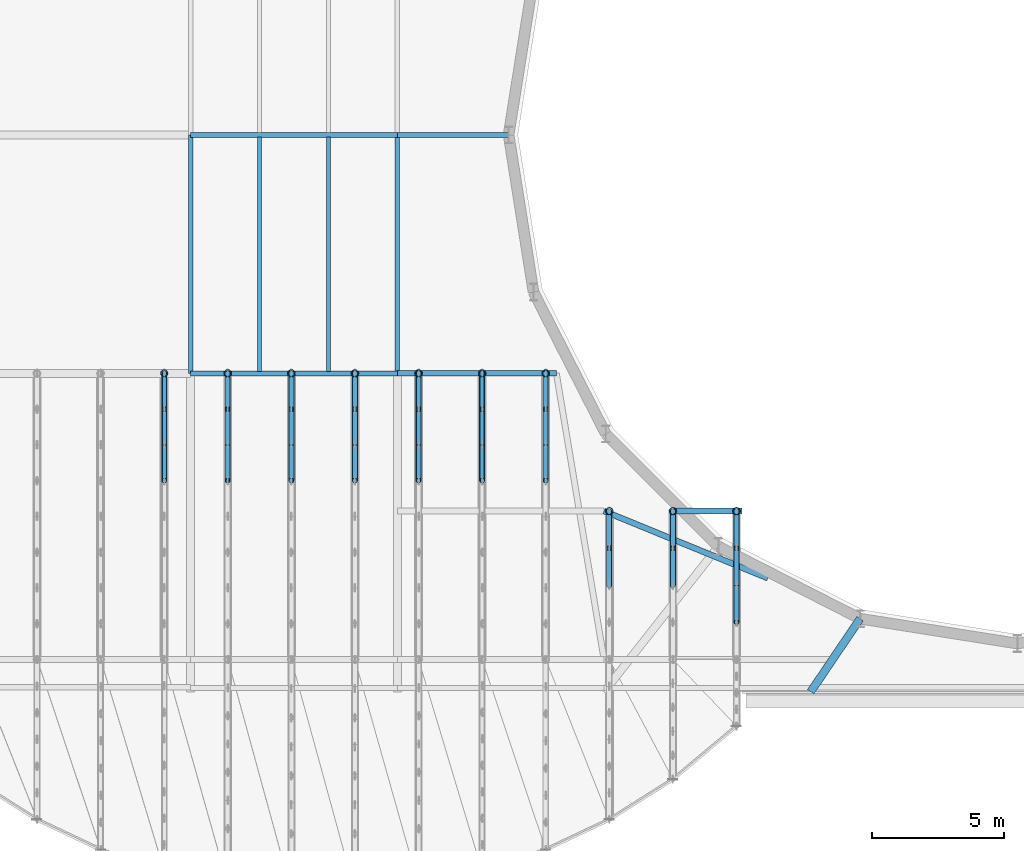
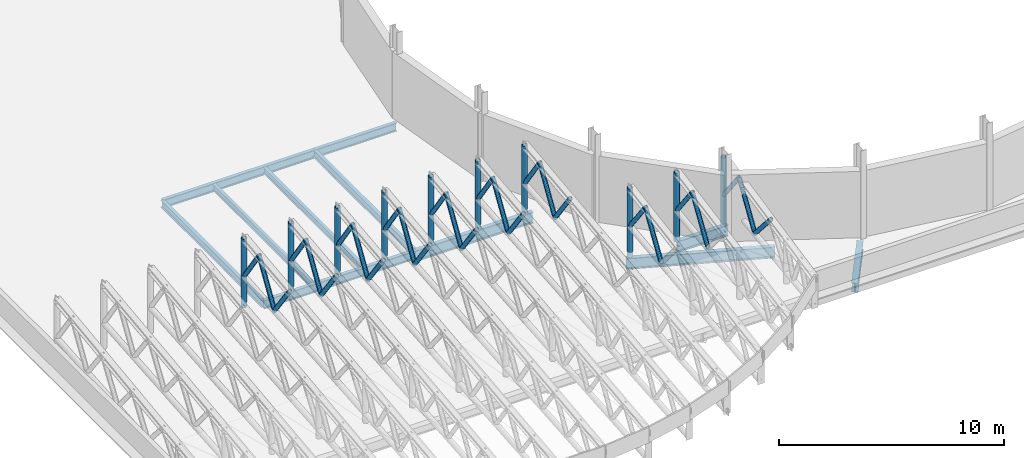
# One storey, part 15 of 58: 38 members, 11 beams.
"""IFC4 building model written with IfcOpenShell, lengths in metres."""

from ifc_helpers import new_model, si_unit, direction, frame, origin, origin_2d, place, context, subcontext, project, spatial, hollow_circle, i_section, extrude, material, material_profile, profile_set, type_object, element, save


model = new_model("IFC4")

# Units and contexts
model_context = context("Model", 3, precision=1e-05, world=origin(), true_north=direction((0.0, 1.0)))
body_context = subcontext(model_context, "Body", "Model", "MODEL_VIEW")
ifc_project = project(units=[si_unit("LENGTHUNIT", "METRE"), si_unit("AREAUNIT", "SQUARE_METRE"), si_unit("VOLUMEUNIT", "CUBIC_METRE"), si_unit("PLANEANGLEUNIT", "RADIAN"), si_unit("MASSUNIT", "GRAM", prefix="KILO")], contexts=[model_context])

# Site, building, storey
site_placement = place(None, origin())
site = spatial("IfcSite", under=ifc_project, at=site_placement, CompositionType="ELEMENT")
building_placement = place(site_placement, origin())
building = spatial("IfcBuilding", under=site, at=building_placement, Name="Sefraquen Railside Congress Hotel", CompositionType="ELEMENT")
storey_placement = place(building_placement, frame((0.0, 0.0, 16.199951171875)))
storey = spatial("IfcBuildingStorey", under=building, at=storey_placement, Name="L03", CompositionType="ELEMENT", Elevation=16.199951171875)

# Beams
ifc_material_1 = material(Name="Steel S355JR", Category="steel")
ifc_material_profile_1 = material_profile(ifc_material_1, i_section(OverallWidth=0.179931640625, OverallDepth=0.39990234375, WebThickness=0.008544921875, FlangeThickness=0.013427734375, FilletRadius=0.02099609375, at=origin_2d()), Name="IPE 400")
ifc_profile_set_1 = profile_set([ifc_material_profile_1], Name="Steel S355JR")
beam_type_1 = type_object("IfcBeamType", Name="TB-BM-400I", PredefinedType="BEAM", material=ifc_profile_set_1)
for number, where, z_axis, x_axis, name in (
    (1, (33.0, 18.0, -0.47998046875), (0.0, 1.0, 0.0), (-1.0, 0.0, 0.0), "Floor beam BM-L03-1152"),
    (2, (40.800048828125, 18.0, -0.47998046875), (0.0, 1.0, 0.0), (-1.0, 0.0, 0.0), "Floor beam BM-L03-1164"),
):
    element("IfcBeam", number, at=place(storey_placement, frame(where, z_axis=z_axis, x_axis=x_axis)), inside=storey, type_object=beam_type_1, Name=name, PredefinedType="BEAM", context=body_context, shape_type="SweptSolid", body=[
        extrude(i_section(OverallWidth=0.179931640625, OverallDepth=0.39990234375, WebThickness=0.008544921875, FlangeThickness=0.013427734375, FilletRadius=0.02099609375, at=origin_2d()), origin(), (0.0, 0.0, 1.0), 9.0),
    ])
ifc_material_profile_2 = material_profile(ifc_material_1, i_section(OverallWidth=0.18994140625, OverallDepth=0.449951171875, WebThickness=0.009521484375, FlangeThickness=0.0146484375, FilletRadius=0.02099609375, at=origin_2d()), Name="IPE 450")
ifc_profile_set_2 = profile_set([ifc_material_profile_2], Name="Steel S355JR")
beam_type_2 = type_object("IfcBeamType", Name="TB-BM-450", PredefinedType="BEAM", material=ifc_profile_set_2)
for number, where, z_axis, x_axis, name in (
    (3, (33.0, 18.0, -0.5048828125), (1.0, 0.0, 0.0), (0.0, 1.0, 0.0), "Primary girder BM-L03-0996"),
    (4, (33.0, 27.0, -0.5048828125), (1.0, 0.0, 0.0), (0.0, 1.0, 0.0), "Primary girder BM-L03-0999"),
):
    element("IfcBeam", number, at=place(storey_placement, frame(where, z_axis=z_axis, x_axis=x_axis)), inside=storey, type_object=beam_type_2, Name=name, PredefinedType="BEAM", context=body_context, shape_type="SweptSolid", body=[
        extrude(i_section(OverallWidth=0.18994140625, OverallDepth=0.449951171875, WebThickness=0.009521484375, FlangeThickness=0.0146484375, FilletRadius=0.02099609375, at=origin_2d()), origin(), (0.0, 0.0, 1.0), 7.800048828125),
    ])
beam_1_placement = place(storey_placement, frame((40.800048828125, 27.0, -0.5048828125), z_axis=(1.0, 0.0, 0.0), x_axis=(0.0, 1.0, 0.0)))
element("IfcBeam", 5, at=beam_1_placement, inside=storey, type_object=beam_type_2, Name="Primary girder BM-L03-1000", PredefinedType="BEAM", context=body_context, shape_type="SweptSolid", body=[
    extrude(i_section(OverallWidth=0.18994140625, OverallDepth=0.449951171875, WebThickness=0.009521484375, FlangeThickness=0.0146484375, FilletRadius=0.02099609375, at=origin_2d()), origin(), (0.0, 0.0, 1.0), 4.199951171875),
])
ifc_material_profile_3 = material_profile(ifc_material_1, i_section(OverallWidth=0.300048828125, OverallDepth=0.489990234375, WebThickness=0.011962890625, FlangeThickness=0.02294921875, FilletRadius=0.027099609375, at=origin_2d()), Name="HEA 500")
ifc_profile_set_3 = profile_set([ifc_material_profile_3], Name="Steel S355JR")
beam_type_3 = type_object("IfcBeamType", Name="TB-GIR-500", PredefinedType="T_BEAM", material=ifc_profile_set_3)
beam_2_placement = place(storey_placement, frame((56.39990234375, 5.978515625, -0.52490234375), z_axis=(0.560114260601, 0.828415363855, 0.0), x_axis=(-0.828415363855, 0.560114260601, 0.0)))
element("IfcBeam", 6, at=beam_2_placement, inside=storey, type_object=beam_type_3, Name="Congress leaning-hull diaphragm tie girder S-8 L03", PredefinedType="T_BEAM", context=body_context, shape_type="SweptSolid", body=[
    extrude(i_section(OverallWidth=0.300048828125, OverallDepth=0.489990234375, WebThickness=0.011962890625, FlangeThickness=0.02294921875, FilletRadius=0.027099609375, at=origin_2d()), origin(), (0.0, 0.0, 1.0), 3.333251953125),
])
ifc_material_profile_4 = material_profile(ifc_material_1, i_section(OverallWidth=0.219970703125, OverallDepth=0.60009765625, WebThickness=0.011962890625, FlangeThickness=0.01904296875, FilletRadius=0.02392578125, at=origin_2d()), Name="IPE 600")
ifc_profile_set_4 = profile_set([ifc_material_profile_4], Name="Steel S355JR")
beam_type_4 = type_object("IfcBeamType", Name="TB-GIR-600", PredefinedType="T_BEAM", material=ifc_profile_set_4)
beam_3_placement = place(storey_placement, frame((40.800048828125, 18.0, -0.579833984375), z_axis=(1.0, 0.0, 0.0), x_axis=(0.0, 1.0, 0.0)))
element("IfcBeam", 7, at=beam_3_placement, inside=storey, type_object=beam_type_4, Name="Canopy L03 back-span anchor girder 03", PredefinedType="T_BEAM", context=body_context, shape_type="SweptSolid", body=[
    extrude(i_section(OverallWidth=0.219970703125, OverallDepth=0.60009765625, WebThickness=0.011962890625, FlangeThickness=0.01904296875, FilletRadius=0.02392578125, at=origin_2d()), origin(), (0.0, 0.0, 1.0), 6.0),
])
beam_4_placement = place(storey_placement, frame((48.60009765625, 12.800048828125, -0.579833984375), z_axis=(0.925448503567, -0.378873418499, 0.0), x_axis=(0.378873418499, 0.925448503567, 0.0)))
element("IfcBeam", 8, at=beam_4_placement, inside=storey, type_object=beam_type_4, Name="BM-L03-CANBK-05", PredefinedType="T_BEAM", context=body_context, shape_type="SweptSolid", body=[
    extrude(i_section(OverallWidth=0.219970703125, OverallDepth=0.60009765625, WebThickness=0.011962890625, FlangeThickness=0.01904296875, FilletRadius=0.02392578125, at=origin_2d()), origin(), (0.0, 0.0, 1.0), 6.677734375),
])
beam_5_placement = place(storey_placement, frame((51.199951171875, 12.800048828125, -0.579833984375), z_axis=(1.0, 0.0, 0.0), x_axis=(0.0, 1.0, 0.0)))
element("IfcBeam", 9, at=beam_5_placement, inside=storey, type_object=beam_type_4, Name="Canopy L03 east back-span anchor girder 05", PredefinedType="T_BEAM", context=body_context, shape_type="SweptSolid", body=[
    extrude(i_section(OverallWidth=0.219970703125, OverallDepth=0.60009765625, WebThickness=0.011962890625, FlangeThickness=0.01904296875, FilletRadius=0.02392578125, at=origin_2d()), origin(), (0.0, 0.0, 1.0), 2.60009765625),
])
ifc_material_profile_5 = material_profile(ifc_material_1, i_section(OverallWidth=0.159912109375, OverallDepth=0.330078125, WebThickness=0.007568359375, FlangeThickness=0.011474609375, FilletRadius=0.01806640625, at=origin_2d()), Name="IPE 330")
ifc_profile_set_5 = profile_set([ifc_material_profile_5], Name="Steel S355JR")
beam_type_5 = type_object("IfcBeamType", Name="TB-JST-330", PredefinedType="JOIST", material=ifc_profile_set_5)
for number, where, z_axis, x_axis, name in (
    (10, (35.60009765625, 18.074951171875, -0.445068359375), (0.0, 1.0, 0.0), (-1.0, 0.0, 0.0), "Composite floor joist BM-L03-J0688"),
    (11, (38.199951171875, 18.074951171875, -0.445068359375), (0.0, 1.0, 0.0), (-1.0, 0.0, 0.0), "Composite floor joist BM-L03-J0689"),
):
    element("IfcBeam", number, at=place(storey_placement, frame(where, z_axis=z_axis, x_axis=x_axis)), inside=storey, type_object=beam_type_5, Name=name, PredefinedType="JOIST", context=body_context, shape_type="SweptSolid", body=[
        extrude(i_section(OverallWidth=0.159912109375, OverallDepth=0.330078125, WebThickness=0.007568359375, FlangeThickness=0.011474609375, FilletRadius=0.01806640625, at=origin_2d()), origin(), (0.0, 0.0, 1.0), 8.85009765625),
    ])

# Members
ifc_material_2 = material(Name="Steel S355J2", Category="steel")
ifc_material_profile_6 = material_profile(ifc_material_2, hollow_circle(Radius=0.109619140625, WallThickness=0.010009765625, at=origin_2d()), Name="CHS 219.1x10")
ifc_profile_set_6 = profile_set([ifc_material_profile_6], Name="Steel S355J2")
member_type_1 = type_object("IfcMemberType", Name="TM-BR-219", PredefinedType="BRACE", material=ifc_profile_set_6)
member_1_placement = place(storey_placement, frame((32.0, 18.0, 1.35009765625), z_axis=(0.0, -0.569970795436, 0.821664951395), x_axis=(1.0, 0.0, 0.0)))
element("IfcMember", 12, at=member_1_placement, inside=storey, type_object=member_type_1, Name="Canopy cantilever truss web diagonal 05.01", PredefinedType="BRACE", context=body_context, shape_type="SweptSolid", body=[
    extrude(hollow_circle(Radius=0.109619140625, WallThickness=0.010009765625, at=origin_2d()), origin(), (0.0, 0.0, 1.0), 2.36865234375),
])
member_2_placement = place(storey_placement, frame((32.0, 16.64990234375, 3.29638671875), z_axis=(0.0, -0.528640351115, -0.848845910147), x_axis=(1.0, 0.0, 0.0)))
element("IfcMember", 13, at=member_2_placement, inside=storey, type_object=member_type_1, Name="Canopy cantilever truss web diagonal 05.02", PredefinedType="BRACE", context=body_context, shape_type="SweptSolid", body=[
    extrude(hollow_circle(Radius=0.109619140625, WallThickness=0.010009765625, at=origin_2d()), origin(), (0.0, 0.0, 1.0), 2.553466796875),
])
member_3_placement = place(storey_placement, frame((32.0, 15.300048828125, 1.12890625), z_axis=(0.0, -0.587451398021, 0.809259448485), x_axis=(1.0, 0.0, 0.0)))
element("IfcMember", 14, at=member_3_placement, inside=storey, type_object=member_type_1, Name="Canopy cantilever truss web diagonal 05.03", PredefinedType="BRACE", context=body_context, shape_type="SweptSolid", body=[
    extrude(hollow_circle(Radius=0.109619140625, WallThickness=0.010009765625, at=origin_2d()), origin(), (0.0, 0.0, 1.0), 2.29833984375),
])
member_4_placement = place(storey_placement, frame((34.39990234375, 18.0, 1.35009765625), z_axis=(0.0, -0.5697295244, 0.821832263316), x_axis=(1.0, 0.0, 0.0)))
element("IfcMember", 15, at=member_4_placement, inside=storey, type_object=member_type_1, Name="Canopy cantilever truss web diagonal 06.01", PredefinedType="BRACE", context=body_context, shape_type="SweptSolid", body=[
    extrude(hollow_circle(Radius=0.109619140625, WallThickness=0.010009765625, at=origin_2d()), origin(), (0.0, 0.0, 1.0), 2.36962890625),
])
member_5_placement = place(storey_placement, frame((34.39990234375, 16.64990234375, 3.297607421875), z_axis=(0.0, -0.52842589875, -0.848979428214), x_axis=(1.0, 0.0, 0.0)))
element("IfcMember", 16, at=member_5_placement, inside=storey, type_object=member_type_1, Name="Canopy cantilever truss web diagonal 06.02", PredefinedType="BRACE", context=body_context, shape_type="SweptSolid", body=[
    extrude(hollow_circle(Radius=0.109619140625, WallThickness=0.010009765625, at=origin_2d()), origin(), (0.0, 0.0, 1.0), 2.554443359375),
])
member_6_placement = place(storey_placement, frame((34.39990234375, 15.300048828125, 1.12890625), z_axis=(0.0, -0.586644188103, 0.809844797826), x_axis=(1.0, 0.0, 0.0)))
element("IfcMember", 17, at=member_6_placement, inside=storey, type_object=member_type_1, Name="Canopy cantilever truss web diagonal 06.03", PredefinedType="BRACE", context=body_context, shape_type="SweptSolid", body=[
    extrude(hollow_circle(Radius=0.109619140625, WallThickness=0.010009765625, at=origin_2d()), origin(), (0.0, 0.0, 1.0), 2.30126953125),
])
member_7_placement = place(storey_placement, frame((36.800048828125, 18.0, 1.35009765625), z_axis=(0.0, -0.56963305943, 0.821899128607), x_axis=(1.0, 0.0, 0.0)))
element("IfcMember", 18, at=member_7_placement, inside=storey, type_object=member_type_1, Name="Canopy cantilever truss web diagonal 07.01", PredefinedType="BRACE", context=body_context, shape_type="SweptSolid", body=[
    extrude(hollow_circle(Radius=0.109619140625, WallThickness=0.010009765625, at=origin_2d()), origin(), (0.0, 0.0, 1.0), 2.3701171875),
])
member_8_placement = place(storey_placement, frame((36.800048828125, 16.64990234375, 3.298095703125), z_axis=(0.0, -0.52838302511, -0.849006112331), x_axis=(1.0, 0.0, 0.0)))
element("IfcMember", 19, at=member_8_placement, inside=storey, type_object=member_type_1, Name="Canopy cantilever truss web diagonal 07.02", PredefinedType="BRACE", context=body_context, shape_type="SweptSolid", body=[
    extrude(hollow_circle(Radius=0.109619140625, WallThickness=0.010009765625, at=origin_2d()), origin(), (0.0, 0.0, 1.0), 2.5546875),
])
member_9_placement = place(storey_placement, frame((36.800048828125, 15.300048828125, 1.129150390625), z_axis=(0.0, -0.586341906077, 0.810063682175), x_axis=(1.0, 0.0, 0.0)))
element("IfcMember", 20, at=member_9_placement, inside=storey, type_object=member_type_1, Name="Canopy cantilever truss web diagonal 07.03", PredefinedType="BRACE", context=body_context, shape_type="SweptSolid", body=[
    extrude(hollow_circle(Radius=0.109619140625, WallThickness=0.010009765625, at=origin_2d()), origin(), (0.0, 0.0, 1.0), 2.302490234375),
])
member_10_placement = place(storey_placement, frame((39.199951171875, 18.0, 1.35009765625), z_axis=(0.0, -0.56963305943, 0.821899128607), x_axis=(1.0, 0.0, 0.0)))
element("IfcMember", 21, at=member_10_placement, inside=storey, type_object=member_type_1, Name="Canopy cantilever truss web diagonal 08.01", PredefinedType="BRACE", context=body_context, shape_type="SweptSolid", body=[
    extrude(hollow_circle(Radius=0.109619140625, WallThickness=0.010009765625, at=origin_2d()), origin(), (0.0, 0.0, 1.0), 2.3701171875),
])
member_11_placement = place(storey_placement, frame((39.199951171875, 16.64990234375, 3.298095703125), z_axis=(0.0, -0.52838302511, -0.849006112331), x_axis=(1.0, 0.0, 0.0)))
element("IfcMember", 22, at=member_11_placement, inside=storey, type_object=member_type_1, Name="Canopy cantilever truss web diagonal 08.02", PredefinedType="BRACE", context=body_context, shape_type="SweptSolid", body=[
    extrude(hollow_circle(Radius=0.109619140625, WallThickness=0.010009765625, at=origin_2d()), origin(), (0.0, 0.0, 1.0), 2.5546875),
])
member_12_placement = place(storey_placement, frame((39.199951171875, 15.300048828125, 1.129150390625), z_axis=(0.0, -0.586341906077, 0.810063682175), x_axis=(1.0, 0.0, 0.0)))
element("IfcMember", 23, at=member_12_placement, inside=storey, type_object=member_type_1, Name="Canopy cantilever truss web diagonal 08.03", PredefinedType="BRACE", context=body_context, shape_type="SweptSolid", body=[
    extrude(hollow_circle(Radius=0.109619140625, WallThickness=0.010009765625, at=origin_2d()), origin(), (0.0, 0.0, 1.0), 2.302490234375),
])
member_13_placement = place(storey_placement, frame((41.60009765625, 18.0, 1.35009765625), z_axis=(0.0, -0.5697295244, 0.821832263316), x_axis=(1.0, 0.0, 0.0)))
element("IfcMember", 24, at=member_13_placement, inside=storey, type_object=member_type_1, Name="Canopy cantilever truss web diagonal 09.01", PredefinedType="BRACE", context=body_context, shape_type="SweptSolid", body=[
    extrude(hollow_circle(Radius=0.109619140625, WallThickness=0.010009765625, at=origin_2d()), origin(), (0.0, 0.0, 1.0), 2.36962890625),
])
member_14_placement = place(storey_placement, frame((41.60009765625, 16.64990234375, 3.297607421875), z_axis=(0.0, -0.52842589875, -0.848979428214), x_axis=(1.0, 0.0, 0.0)))
element("IfcMember", 25, at=member_14_placement, inside=storey, type_object=member_type_1, Name="Canopy cantilever truss web diagonal 09.02", PredefinedType="BRACE", context=body_context, shape_type="SweptSolid", body=[
    extrude(hollow_circle(Radius=0.109619140625, WallThickness=0.010009765625, at=origin_2d()), origin(), (0.0, 0.0, 1.0), 2.554443359375),
])
member_15_placement = place(storey_placement, frame((41.60009765625, 15.300048828125, 1.12890625), z_axis=(0.0, -0.586644188103, 0.809844797826), x_axis=(1.0, 0.0, 0.0)))
element("IfcMember", 26, at=member_15_placement, inside=storey, type_object=member_type_1, Name="Canopy cantilever truss web diagonal 09.03", PredefinedType="BRACE", context=body_context, shape_type="SweptSolid", body=[
    extrude(hollow_circle(Radius=0.109619140625, WallThickness=0.010009765625, at=origin_2d()), origin(), (0.0, 0.0, 1.0), 2.30126953125),
])
member_16_placement = place(storey_placement, frame((44.0, 18.0, 1.35009765625), z_axis=(0.0, -0.569970795436, 0.821664951395), x_axis=(1.0, 0.0, 0.0)))
element("IfcMember", 27, at=member_16_placement, inside=storey, type_object=member_type_1, Name="Canopy cantilever truss web diagonal 10.01", PredefinedType="BRACE", context=body_context, shape_type="SweptSolid", body=[
    extrude(hollow_circle(Radius=0.109619140625, WallThickness=0.010009765625, at=origin_2d()), origin(), (0.0, 0.0, 1.0), 2.36865234375),
])
member_17_placement = place(storey_placement, frame((44.0, 16.64990234375, 3.29638671875), z_axis=(0.0, -0.528640351115, -0.848845910147), x_axis=(1.0, 0.0, 0.0)))
element("IfcMember", 28, at=member_17_placement, inside=storey, type_object=member_type_1, Name="Canopy cantilever truss web diagonal 10.02", PredefinedType="BRACE", context=body_context, shape_type="SweptSolid", body=[
    extrude(hollow_circle(Radius=0.109619140625, WallThickness=0.010009765625, at=origin_2d()), origin(), (0.0, 0.0, 1.0), 2.553466796875),
])
member_18_placement = place(storey_placement, frame((44.0, 15.300048828125, 1.12890625), z_axis=(0.0, -0.587451398021, 0.809259448485), x_axis=(1.0, 0.0, 0.0)))
element("IfcMember", 29, at=member_18_placement, inside=storey, type_object=member_type_1, Name="Canopy cantilever truss web diagonal 10.03", PredefinedType="BRACE", context=body_context, shape_type="SweptSolid", body=[
    extrude(hollow_circle(Radius=0.109619140625, WallThickness=0.010009765625, at=origin_2d()), origin(), (0.0, 0.0, 1.0), 2.29833984375),
])
member_19_placement = place(storey_placement, frame((46.39990234375, 18.0, 1.35009765625), z_axis=(0.0, -0.570405474497, 0.821363253783), x_axis=(1.0, 0.0, 0.0)))
element("IfcMember", 30, at=member_19_placement, inside=storey, type_object=member_type_1, Name="Canopy cantilever truss web diagonal 11.01", PredefinedType="BRACE", context=body_context, shape_type="SweptSolid", body=[
    extrude(hollow_circle(Radius=0.109619140625, WallThickness=0.010009765625, at=origin_2d()), origin(), (0.0, 0.0, 1.0), 2.366943359375),
])
member_20_placement = place(storey_placement, frame((46.39990234375, 16.64990234375, 3.294189453125), z_axis=(0.0, -0.52898376685, -0.84863194284), x_axis=(1.0, 0.0, 0.0)))
element("IfcMember", 31, at=member_20_placement, inside=storey, type_object=member_type_1, Name="Canopy cantilever truss web diagonal 11.02", PredefinedType="BRACE", context=body_context, shape_type="SweptSolid", body=[
    extrude(hollow_circle(Radius=0.109619140625, WallThickness=0.010009765625, at=origin_2d()), origin(), (0.0, 0.0, 1.0), 2.5517578125),
])
member_21_placement = place(storey_placement, frame((46.39990234375, 15.300048828125, 1.128662109375), z_axis=(0.0, -0.588665283223, 0.808376882603), x_axis=(1.0, 0.0, 0.0)))
element("IfcMember", 32, at=member_21_placement, inside=storey, type_object=member_type_1, Name="Canopy cantilever truss web diagonal 11.03", PredefinedType="BRACE", context=body_context, shape_type="SweptSolid", body=[
    extrude(hollow_circle(Radius=0.109619140625, WallThickness=0.010009765625, at=origin_2d()), origin(), (0.0, 0.0, 1.0), 2.29345703125),
])
member_22_placement = place(storey_placement, frame((48.800048828125, 12.800048828125, 1.35009765625), z_axis=(0.0, -0.601089474525, 0.799181733785), x_axis=(1.0, 0.0, 0.0)))
element("IfcMember", 33, at=member_22_placement, inside=storey, type_object=member_type_1, Name="Canopy cantilever truss web diagonal 12.01", PredefinedType="BRACE", context=body_context, shape_type="SweptSolid", body=[
    extrude(hollow_circle(Radius=0.109619140625, WallThickness=0.010009765625, at=origin_2d()), origin(), (0.0, 0.0, 1.0), 2.329345703125),
])
member_23_placement = place(storey_placement, frame((48.800048828125, 11.39990234375, 3.211669921875), z_axis=(0.0, -0.537834085494, -0.843050708131), x_axis=(1.0, 0.0, 0.0)))
element("IfcMember", 34, at=member_23_placement, inside=storey, type_object=member_type_1, Name="Canopy cantilever truss web diagonal 12.02", PredefinedType="BRACE", context=body_context, shape_type="SweptSolid", body=[
    extrude(hollow_circle(Radius=0.109619140625, WallThickness=0.010009765625, at=origin_2d()), origin(), (0.0, 0.0, 1.0), 2.602783203125),
])
member_24_placement = place(storey_placement, frame((51.199951171875, 12.800048828125, 1.35009765625), z_axis=(0.0, -0.605085942671, 0.796160161011), x_axis=(1.0, 0.0, 0.0)))
element("IfcMember", 35, at=member_24_placement, inside=storey, type_object=member_type_1, Name="Canopy cantilever truss web diagonal 13.01", PredefinedType="BRACE", context=body_context, shape_type="SweptSolid", body=[
    extrude(hollow_circle(Radius=0.109619140625, WallThickness=0.010009765625, at=origin_2d()), origin(), (0.0, 0.0, 1.0), 2.31396484375),
])
member_25_placement = place(storey_placement, frame((51.199951171875, 11.39990234375, 3.1923828125), z_axis=(0.0, -0.538344828199, -0.842724656072), x_axis=(1.0, 0.0, 0.0)))
element("IfcMember", 36, at=member_25_placement, inside=storey, type_object=member_type_1, Name="Canopy cantilever truss web diagonal 13.02", PredefinedType="BRACE", context=body_context, shape_type="SweptSolid", body=[
    extrude(hollow_circle(Radius=0.109619140625, WallThickness=0.010009765625, at=origin_2d()), origin(), (0.0, 0.0, 1.0), 2.600341796875),
])
member_26_placement = place(storey_placement, frame((53.60009765625, 12.800048828125, 1.35009765625), z_axis=(0.0, -0.612623385761, 0.790374966215), x_axis=(1.0, 0.0, 0.0)))
element("IfcMember", 37, at=member_26_placement, inside=storey, type_object=member_type_1, Name="Canopy cantilever truss web diagonal 14.01", PredefinedType="BRACE", context=body_context, shape_type="SweptSolid", body=[
    extrude(hollow_circle(Radius=0.109619140625, WallThickness=0.010009765625, at=origin_2d()), origin(), (0.0, 0.0, 1.0), 2.285400390625),
])
member_27_placement = place(storey_placement, frame((53.60009765625, 11.39990234375, 3.156494140625), z_axis=(0.0, -0.539197783322, -0.842179167672), x_axis=(1.0, 0.0, 0.0)))
element("IfcMember", 38, at=member_27_placement, inside=storey, type_object=member_type_1, Name="Canopy cantilever truss web diagonal 14.02", PredefinedType="BRACE", context=body_context, shape_type="SweptSolid", body=[
    extrude(hollow_circle(Radius=0.109619140625, WallThickness=0.010009765625, at=origin_2d()), origin(), (0.0, 0.0, 1.0), 2.59619140625),
])
member_28_placement = place(storey_placement, frame((53.60009765625, 10.0, 0.969970703125), z_axis=(0.0, -0.658569655148, 0.752519773374), x_axis=(1.0, 0.0, 0.0)))
element("IfcMember", 39, at=member_28_placement, inside=storey, type_object=member_type_1, Name="Canopy cantilever truss web diagonal 14.03", PredefinedType="BRACE", context=body_context, shape_type="SweptSolid", body=[
    extrude(hollow_circle(Radius=0.109619140625, WallThickness=0.010009765625, at=origin_2d()), origin(), (0.0, 0.0, 1.0), 2.125732421875),
])
ifc_material_profile_7 = material_profile(ifc_material_2, hollow_circle(Radius=0.136474609375, WallThickness=0.012451171875, at=origin_2d()), Name="CHS 273x12.5")
ifc_profile_set_7 = profile_set([ifc_material_profile_7], Name="Steel S355J2")
member_type_2 = type_object("IfcMemberType", Name="TM-CANT-CHORD", PredefinedType="CHORD", material=ifc_profile_set_7)
for number, where, z_axis, x_axis, name in (
    (40, (32.0, 18.0, -0.280029296875), (0.0, 0.0, 1.0), (1.0, 0.0, 0.0), "Canopy truss anchor post C-05"),
    (41, (34.39990234375, 18.0, -0.280029296875), (0.0, 0.0, 1.0), (1.0, 0.0, 0.0), "Canopy truss anchor post C-06"),
    (42, (36.800048828125, 18.0, -0.280029296875), (0.0, 0.0, 1.0), (1.0, 0.0, 0.0), "Canopy truss anchor post C-07"),
    (43, (39.199951171875, 18.0, -0.280029296875), (0.0, 0.0, 1.0), (1.0, 0.0, 0.0), "Canopy truss anchor post C-08"),
    (44, (41.60009765625, 18.0, -0.280029296875), (0.0, 0.0, 1.0), (1.0, 0.0, 0.0), "Canopy truss anchor post C-09"),
    (45, (44.0, 18.0, -0.280029296875), (0.0, 0.0, 1.0), (1.0, 0.0, 0.0), "Canopy truss anchor post C-10"),
    (46, (46.39990234375, 18.0, -0.280029296875), (0.0, 0.0, 1.0), (1.0, 0.0, 0.0), "Canopy truss anchor post C-11"),
    (47, (48.800048828125, 12.800048828125, -0.280029296875), (0.0, 0.0, 1.0), (1.0, 0.0, 0.0), "Canopy truss anchor post C-12"),
    (48, (51.199951171875, 12.800048828125, -0.280029296875), (0.0, 0.0, 1.0), (1.0, 0.0, 0.0), "Canopy truss anchor post C-13"),
    (49, (53.60009765625, 12.800048828125, -0.280029296875), (0.0, 0.0, 1.0), (1.0, 0.0, 0.0), "Canopy truss anchor post C-14"),
):
    element("IfcMember", number, at=place(storey_placement, frame(where, z_axis=z_axis, x_axis=x_axis)), inside=storey, type_object=member_type_2, Name=name, PredefinedType="CHORD", context=body_context, shape_type="SweptSolid", body=[
        extrude(hollow_circle(Radius=0.136474609375, WallThickness=0.012451171875, at=origin_2d()), origin(), (0.0, 0.0, 1.0), 3.72998046875),
    ])

save(model, "model.ifc")
